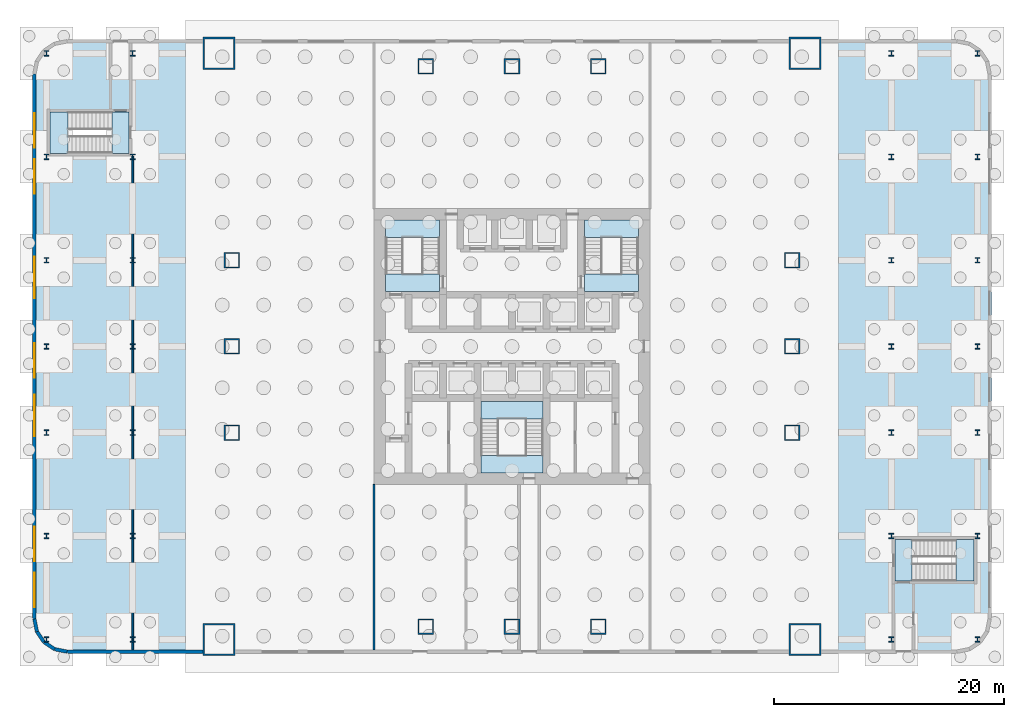
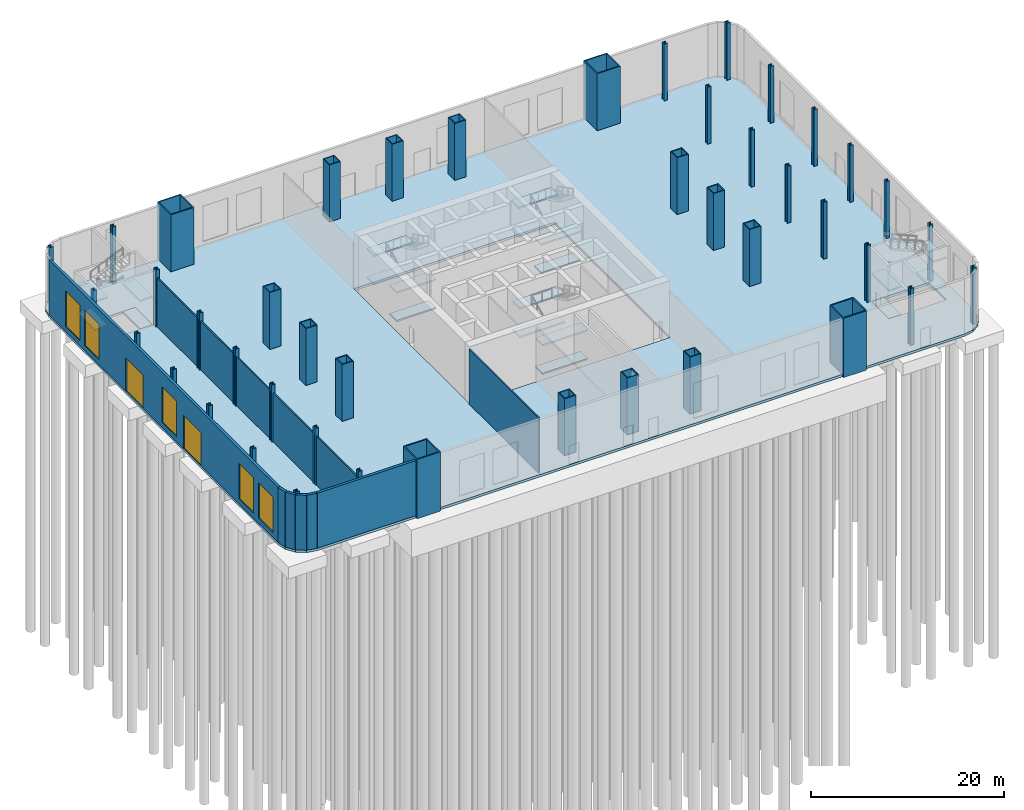
# One storey, part 3 of 10: 44 columns, 21 slabs, 8 walls, 5 windows, 2 doors, 7 openings, 5 elements without a shape of their own.
"""IFC4 building model written with IfcOpenShell, lengths in metres."""

from ifc_helpers import new_model, si_unit, direction, frame, frame_2d, origin, origin_2d, place, context, subcontext, project, spatial, polyline, rectangle, hollow_rectangle, i_section, outline, extrude, material, layer, layer_set, material_profile, profile_set, type_object, element, fill, aggregate, save


model = new_model("IFC4")

# Units and contexts
model_context = context("Model", 3, precision=1e-05, world=origin(), true_north=direction((0.0, 1.0)))
body_context = subcontext(model_context, "Body", "Model", "MODEL_VIEW")
ifc_project = project(units=[si_unit("LENGTHUNIT", "METRE"), si_unit("AREAUNIT", "SQUARE_METRE"), si_unit("VOLUMEUNIT", "CUBIC_METRE"), si_unit("PLANEANGLEUNIT", "RADIAN"), si_unit("MASSUNIT", "GRAM", prefix="KILO")], contexts=[model_context])

# Site, building, storey
site_placement = place(None, origin())
site = spatial("IfcSite", under=ifc_project, at=site_placement, CompositionType="ELEMENT")
building_placement = place(site_placement, origin())
building = spatial("IfcBuilding", under=site, at=building_placement, Name="Tarangal Relay Tower", CompositionType="ELEMENT")
storey_placement = place(building_placement, origin())
storey = spatial("IfcBuildingStorey", under=building, at=storey_placement, Name="L00", CompositionType="ELEMENT", Elevation=0.0)

# Columns
ifc_material_1 = material(Name="Steel ASTM A572 Grade 42", Category="steel")
ifc_material_profile_1 = material_profile(ifc_material_1, hollow_rectangle(XDim=2.800048828125, YDim=2.800048828125, WallThickness=0.139892578125, at=origin_2d()), Name="BOX2800X2800X140")
ifc_profile_set_1 = profile_set([ifc_material_profile_1], Name="Steel ASTM A572 Grade 42")
column_type_1 = type_object("IfcColumnType", Name="Mega column BOX2800X2800X140", PredefinedType="COLUMN", material=ifc_profile_set_1)
for number, where, z_axis, x_axis, name in (
    (1, (25.5, 25.5, -0.300048828125), (0.0, 0.0, 1.0), (1.0, 0.0, 0.0), "Mega column MC1 NE L00"),
    (2, (25.5, -25.5, -0.300048828125), (0.0, 0.0, 1.0), (1.0, 0.0, 0.0), "Mega column MC1 SE L00"),
    (3, (-25.5, -25.5, -0.300048828125), (0.0, 0.0, 1.0), (1.0, 0.0, 0.0), "Mega column MC1 SW L00"),
    (4, (-25.5, 25.5, -0.300048828125), (0.0, 0.0, 1.0), (1.0, 0.0, 0.0), "Mega column MC1 NW L00"),
):
    element("IfcColumn", number, at=place(storey_placement, frame(where, z_axis=z_axis, x_axis=x_axis)), inside=storey, type_object=column_type_1, Name=name, PredefinedType="COLUMN", context=body_context, shape_type="SweptSolid", body=[
        extrude(hollow_rectangle(XDim=2.800048828125, YDim=2.800048828125, WallThickness=0.139892578125, at=origin_2d()), origin(), (0.0, 0.0, 1.0), 7.5),
    ])
ifc_material_2 = material(Name="Steel ASTM A572 Grade 50", Category="steel")
ifc_material_profile_2 = material_profile(ifc_material_2, hollow_rectangle(XDim=1.35009765625, YDim=1.35009765625, WallThickness=0.10009765625, at=origin_2d()), Name="BOX1350X1350X100")
ifc_profile_set_2 = profile_set([ifc_material_profile_2], Name="Steel ASTM A572 Grade 50")
column_type_2 = type_object("IfcColumnType", Name="Perimeter column BOX1350X1350X100", PredefinedType="COLUMN", material=ifc_profile_set_2)
for number, where, z_axis, x_axis, name in (
    (5, (-7.5, 24.364990234375, -0.300048828125), (0.0, 0.0, 1.0), (1.0, 0.0, 0.0), "Perimeter column PC1 N L00"),
    (6, (0.0, 24.364990234375, -0.300048828125), (0.0, 0.0, 1.0), (1.0, 0.0, 0.0), "Perimeter column PC1 N L00"),
    (7, (7.5, 24.364990234375, -0.300048828125), (0.0, 0.0, 1.0), (1.0, 0.0, 0.0), "Perimeter column PC1 N L00"),
    (8, (24.364990234375, 7.5, -0.300048828125), (0.0, 0.0, 1.0), (1.0, 0.0, 0.0), "Perimeter column PC1 E L00"),
    (9, (24.364990234375, 0.0, -0.300048828125), (0.0, 0.0, 1.0), (1.0, 0.0, 0.0), "Perimeter column PC1 E L00"),
    (10, (24.364990234375, -7.5, -0.300048828125), (0.0, 0.0, 1.0), (1.0, 0.0, 0.0), "Perimeter column PC1 E L00"),
    (11, (7.5, -24.364990234375, -0.300048828125), (0.0, 0.0, 1.0), (1.0, 0.0, 0.0), "Perimeter column PC1 S L00"),
    (12, (0.0, -24.364990234375, -0.300048828125), (0.0, 0.0, 1.0), (1.0, 0.0, 0.0), "Perimeter column PC1 S L00"),
    (13, (-7.5, -24.364990234375, -0.300048828125), (0.0, 0.0, 1.0), (1.0, 0.0, 0.0), "Perimeter column PC1 S L00"),
    (14, (-24.364990234375, -7.5, -0.300048828125), (0.0, 0.0, 1.0), (1.0, 0.0, 0.0), "Perimeter column PC1 W L00"),
    (15, (-24.364990234375, 0.0, -0.300048828125), (0.0, 0.0, 1.0), (1.0, 0.0, 0.0), "Perimeter column PC1 W L00"),
    (16, (-24.364990234375, 7.5, -0.300048828125), (0.0, 0.0, 1.0), (1.0, 0.0, 0.0), "Perimeter column PC1 W L00"),
):
    element("IfcColumn", number, at=place(storey_placement, frame(where, z_axis=z_axis, x_axis=x_axis)), inside=storey, type_object=column_type_2, Name=name, PredefinedType="COLUMN", context=body_context, shape_type="SweptSolid", body=[
        extrude(hollow_rectangle(XDim=1.35009765625, YDim=1.35009765625, WallThickness=0.10009765625, at=origin_2d()), origin(), (0.0, 0.0, 1.0), 7.5),
    ])
ifc_material_3 = material(Name="Steel ASTM A992", Category="steel")
ifc_material_profile_3 = material_profile(ifc_material_3, i_section(OverallWidth=0.42431640625, OverallDepth=0.47509765625, WebThickness=0.0478515625, FlangeThickness=0.0771484375, at=origin_2d()), Name="W14X426")
ifc_profile_set_3 = profile_set([ifc_material_profile_3], Name="Steel ASTM A992")
column_type_3 = type_object("IfcColumnType", Name="Podium column W14X426", PredefinedType="COLUMN", material=ifc_profile_set_3)
for number, where, z_axis, x_axis, name in (
    (17, (-33.0, -25.5, -0.300048828125), (0.0, 0.0, 1.0), (1.0, 0.0, 0.0), "Podium column PW1 L00"),
    (18, (-33.0, -16.5, -0.300048828125), (0.0, 0.0, 1.0), (1.0, 0.0, 0.0), "Podium column PW1 L00"),
    (19, (-33.0, -7.5, -0.300048828125), (0.0, 0.0, 1.0), (1.0, 0.0, 0.0), "Podium column PW1 L00"),
    (20, (-33.0, 0.0, -0.300048828125), (0.0, 0.0, 1.0), (1.0, 0.0, 0.0), "Podium column PW1 L00"),
    (21, (-33.0, 7.5, -0.300048828125), (0.0, 0.0, 1.0), (1.0, 0.0, 0.0), "Podium column PW1 L00"),
    (22, (-33.0, 16.5, -0.300048828125), (0.0, 0.0, 1.0), (1.0, 0.0, 0.0), "Podium column PW1 L00"),
    (23, (-33.0, 25.5, -0.300048828125), (0.0, 0.0, 1.0), (1.0, 0.0, 0.0), "Podium column PW1 L00"),
    (24, (-40.5, -25.5, -0.300048828125), (0.0, 0.0, 1.0), (1.0, 0.0, 0.0), "Podium column PW1 L00"),
    (25, (-40.5, -16.5, -0.300048828125), (0.0, 0.0, 1.0), (1.0, 0.0, 0.0), "Podium column PW1 L00"),
    (26, (-40.5, -7.5, -0.300048828125), (0.0, 0.0, 1.0), (1.0, 0.0, 0.0), "Podium column PW1 L00"),
    (27, (-40.5, 0.0, -0.300048828125), (0.0, 0.0, 1.0), (1.0, 0.0, 0.0), "Podium column PW1 L00"),
    (28, (-40.5, 7.5, -0.300048828125), (0.0, 0.0, 1.0), (1.0, 0.0, 0.0), "Podium column PW1 L00"),
    (29, (-40.5, 16.5, -0.300048828125), (0.0, 0.0, 1.0), (1.0, 0.0, 0.0), "Podium column PW1 L00"),
    (30, (-40.5, 25.5, -0.300048828125), (0.0, 0.0, 1.0), (1.0, 0.0, 0.0), "Podium column PW1 L00"),
    (31, (33.0, -25.5, -0.300048828125), (0.0, 0.0, 1.0), (1.0, 0.0, 0.0), "Podium column PW1 L00"),
    (32, (33.0, -16.5, -0.300048828125), (0.0, 0.0, 1.0), (1.0, 0.0, 0.0), "Podium column PW1 L00"),
    (33, (33.0, -7.5, -0.300048828125), (0.0, 0.0, 1.0), (1.0, 0.0, 0.0), "Podium column PW1 L00"),
    (34, (33.0, 0.0, -0.300048828125), (0.0, 0.0, 1.0), (1.0, 0.0, 0.0), "Podium column PW1 L00"),
    (35, (33.0, 7.5, -0.300048828125), (0.0, 0.0, 1.0), (1.0, 0.0, 0.0), "Podium column PW1 L00"),
    (36, (33.0, 16.5, -0.300048828125), (0.0, 0.0, 1.0), (1.0, 0.0, 0.0), "Podium column PW1 L00"),
    (37, (33.0, 25.5, -0.300048828125), (0.0, 0.0, 1.0), (1.0, 0.0, 0.0), "Podium column PW1 L00"),
    (38, (40.5, -25.5, -0.300048828125), (0.0, 0.0, 1.0), (1.0, 0.0, 0.0), "Podium column PW1 L00"),
    (39, (40.5, -16.5, -0.300048828125), (0.0, 0.0, 1.0), (1.0, 0.0, 0.0), "Podium column PW1 L00"),
    (40, (40.5, -7.5, -0.300048828125), (0.0, 0.0, 1.0), (1.0, 0.0, 0.0), "Podium column PW1 L00"),
    (41, (40.5, 0.0, -0.300048828125), (0.0, 0.0, 1.0), (1.0, 0.0, 0.0), "Podium column PW1 L00"),
    (42, (40.5, 7.5, -0.300048828125), (0.0, 0.0, 1.0), (1.0, 0.0, 0.0), "Podium column PW1 L00"),
    (43, (40.5, 16.5, -0.300048828125), (0.0, 0.0, 1.0), (1.0, 0.0, 0.0), "Podium column PW1 L00"),
    (44, (40.5, 25.5, -0.300048828125), (0.0, 0.0, 1.0), (1.0, 0.0, 0.0), "Podium column PW1 L00"),
):
    element("IfcColumn", number, at=place(storey_placement, frame(where, z_axis=z_axis, x_axis=x_axis)), inside=storey, type_object=column_type_3, Name=name, PredefinedType="COLUMN", context=body_context, shape_type="SweptSolid", body=[
        extrude(i_section(OverallWidth=0.42431640625, OverallDepth=0.47509765625, WebThickness=0.0478515625, FlangeThickness=0.0771484375, at=origin_2d()), origin(), (0.0, 0.0, 1.0), 7.5),
    ])

# Slab
ifc_material_4 = material(Name="Concrete fc' 35 MPa", Category="concrete")
ifc_layer_1 = layer(ifc_material_4, 0.300048828125)
ifc_layer_set_1 = layer_set([ifc_layer_1], Name="Ground slab 300")
slab_type_1 = type_object("IfcSlabType", Name="Ground slab 300", PredefinedType="BASESLAB", material=ifc_layer_set_1)
slab_1_placement = place(storey_placement, frame((0.0, 0.0, -0.300048828125)))
element("IfcSlab", 45, at=slab_1_placement, inside=storey, type_object=slab_type_1, Name="Ground slab GS1", PredefinedType="BASESLAB", context=body_context, shape_type="SweptSolid", body=[
    extrude(outline(polyline([(41.699951171875, 23.699951171875), (41.4716796875, 24.84814453125), (40.8212890625, 25.8212890625), (39.84814453125, 26.4716796875), (38.699951171875, 26.699951171875), (-38.699951171875, 26.699951171875), (-39.84814453125, 26.4716796875), (-40.8212890625, 25.8212890625), (-41.4716796875, 24.84814453125), (-41.699951171875, 23.699951171875), (-41.699951171875, -23.699951171875), (-41.4716796875, -24.84814453125), (-40.8212890625, -25.8212890625), (-39.84814453125, -26.4716796875), (-38.699951171875, -26.699951171875), (38.699951171875, -26.699951171875), (39.84814453125, -26.4716796875), (40.8212890625, -25.8212890625), (41.4716796875, -24.84814453125), (41.699951171875, -23.699951171875), (41.699951171875, 23.699951171875)]), holes=[polyline([(-12.0, -12.0), (12.0, -12.0), (12.0, 12.0), (-12.0, 12.0), (-12.0, -12.0)]), polyline([(-40.199951171875, 16.800048828125), (-33.300048828125, 16.800048828125), (-33.300048828125, 20.39990234375), (-40.199951171875, 20.39990234375), (-40.199951171875, 16.800048828125)]), polyline([(33.300048828125, -20.39990234375), (40.199951171875, -20.39990234375), (40.199951171875, -16.800048828125), (33.300048828125, -16.800048828125), (33.300048828125, -20.39990234375)])]), origin(), (0.0, 0.0, 1.0), 0.300048828125),
])

# Stair, slabs
ifc_material_5 = material(Name="Steel ASTM A992 stair flight", Category="steel")
stair_type_1 = type_object("IfcStairType", Name="Core stair 1500", PredefinedType="HALF_TURN_STAIR", material=ifc_material_5)
stair_1_placement = place(storey_placement, origin())
stair_1 = element("IfcStair", 46, at=stair_1_placement, inside=storey, type_object=stair_type_1, Name="Stair ST-A L00", PredefinedType="HALF_TURN_STAIR")
ifc_layer_2 = layer(ifc_material_4, 0.199951171875)
ifc_layer_set_2 = layer_set([ifc_layer_2], Name="Stair landing 200")
slab_type_2 = type_object("IfcSlabType", Name="Stair landing 200", PredefinedType="LANDING", material=ifc_layer_set_2)
slab_2_placement = place(storey_placement, frame((0.0, 0.0, -0.199951171875)))
slab_2 = element("IfcSlab", 47, at=slab_2_placement, type_object=slab_type_2, Name="ST-A landing 1", PredefinedType="LANDING", context=body_context, shape_type="SweptSolid", body=[
    extrude(outline(polyline([(-11.0, 4.800048828125), (-6.300048828125, 4.800048828125), (-6.300048828125, 6.300048828125), (-11.0, 6.300048828125), (-11.0, 4.800048828125)])), origin(), (0.0, 0.0, 1.0), 0.199951171875),
])
slab_3_placement = place(storey_placement, frame((0.0, 0.0, 1.60009765625)))
slab_3 = element("IfcSlab", 48, at=slab_3_placement, type_object=slab_type_2, Name="ST-A landing 2", PredefinedType="LANDING", context=body_context, shape_type="SweptSolid", body=[
    extrude(outline(polyline([(-11.0, 9.5), (-6.300048828125, 9.5), (-6.300048828125, 11.0), (-11.0, 11.0), (-11.0, 9.5)])), origin(), (0.0, 0.0, 1.0), 0.199951171875),
])
slab_4_placement = place(storey_placement, frame((0.0, 0.0, 3.39990234375)))
slab_4 = element("IfcSlab", 49, at=slab_4_placement, type_object=slab_type_2, Name="ST-A landing 3", PredefinedType="LANDING", context=body_context, shape_type="SweptSolid", body=[
    extrude(outline(polyline([(-11.0, 4.800048828125), (-6.300048828125, 4.800048828125), (-6.300048828125, 6.300048828125), (-11.0, 6.300048828125), (-11.0, 4.800048828125)])), origin(), (0.0, 0.0, 1.0), 0.2001953125),
])
slab_5_placement = place(storey_placement, frame((0.0, 0.0, 5.199951171875)))
slab_5 = element("IfcSlab", 50, at=slab_5_placement, type_object=slab_type_2, Name="ST-A landing 4", PredefinedType="LANDING", context=body_context, shape_type="SweptSolid", body=[
    extrude(outline(polyline([(-11.0, 9.5), (-6.300048828125, 9.5), (-6.300048828125, 11.0), (-11.0, 11.0), (-11.0, 9.5)])), origin(), (0.0, 0.0, 1.0), 0.199951171875),
])
aggregate(stair_1, [slab_2, slab_3, slab_4, slab_5])

stair_2_placement = place(storey_placement, origin())
stair_2 = element("IfcStair", 51, at=stair_2_placement, inside=storey, type_object=stair_type_1, Name="Stair ST-B L00", PredefinedType="HALF_TURN_STAIR")
slab_6_placement = place(storey_placement, frame((0.0, 0.0, -0.199951171875)))
slab_6 = element("IfcSlab", 52, at=slab_6_placement, type_object=slab_type_2, Name="ST-B landing 1", PredefinedType="LANDING", context=body_context, shape_type="SweptSolid", body=[
    extrude(outline(polyline([(6.300048828125, 4.800048828125), (11.0, 4.800048828125), (11.0, 6.300048828125), (6.300048828125, 6.300048828125), (6.300048828125, 4.800048828125)])), origin(), (0.0, 0.0, 1.0), 0.199951171875),
])
slab_7_placement = place(storey_placement, frame((0.0, 0.0, 1.60009765625)))
slab_7 = element("IfcSlab", 53, at=slab_7_placement, type_object=slab_type_2, Name="ST-B landing 2", PredefinedType="LANDING", context=body_context, shape_type="SweptSolid", body=[
    extrude(outline(polyline([(6.300048828125, 9.5), (11.0, 9.5), (11.0, 11.0), (6.300048828125, 11.0), (6.300048828125, 9.5)])), origin(), (0.0, 0.0, 1.0), 0.199951171875),
])
slab_8_placement = place(storey_placement, frame((0.0, 0.0, 3.39990234375)))
slab_8 = element("IfcSlab", 54, at=slab_8_placement, type_object=slab_type_2, Name="ST-B landing 3", PredefinedType="LANDING", context=body_context, shape_type="SweptSolid", body=[
    extrude(outline(polyline([(6.300048828125, 4.800048828125), (11.0, 4.800048828125), (11.0, 6.300048828125), (6.300048828125, 6.300048828125), (6.300048828125, 4.800048828125)])), origin(), (0.0, 0.0, 1.0), 0.2001953125),
])
slab_9_placement = place(storey_placement, frame((0.0, 0.0, 5.199951171875)))
slab_9 = element("IfcSlab", 55, at=slab_9_placement, type_object=slab_type_2, Name="ST-B landing 4", PredefinedType="LANDING", context=body_context, shape_type="SweptSolid", body=[
    extrude(outline(polyline([(6.300048828125, 9.5), (11.0, 9.5), (11.0, 11.0), (6.300048828125, 11.0), (6.300048828125, 9.5)])), origin(), (0.0, 0.0, 1.0), 0.199951171875),
])
aggregate(stair_2, [slab_6, slab_7, slab_8, slab_9])

stair_3_placement = place(storey_placement, origin())
stair_3 = element("IfcStair", 56, at=stair_3_placement, inside=storey, type_object=stair_type_1, Name="Stair ST-C L00", PredefinedType="HALF_TURN_STAIR")
slab_10_placement = place(storey_placement, frame((0.0, 0.0, -0.199951171875)))
slab_10 = element("IfcSlab", 57, at=slab_10_placement, type_object=slab_type_2, Name="ST-C landing 1", PredefinedType="LANDING", context=body_context, shape_type="SweptSolid", body=[
    extrude(outline(polyline([(-2.699951171875, -11.0), (2.699951171875, -11.0), (2.699951171875, -9.5), (-2.699951171875, -9.5), (-2.699951171875, -11.0)])), origin(), (0.0, 0.0, 1.0), 0.199951171875),
])
slab_11_placement = place(storey_placement, frame((0.0, 0.0, 1.60009765625)))
slab_11 = element("IfcSlab", 58, at=slab_11_placement, type_object=slab_type_2, Name="ST-C landing 2", PredefinedType="LANDING", context=body_context, shape_type="SweptSolid", body=[
    extrude(outline(polyline([(-2.699951171875, -6.300048828125), (2.699951171875, -6.300048828125), (2.699951171875, -4.800048828125), (-2.699951171875, -4.800048828125), (-2.699951171875, -6.300048828125)])), origin(), (0.0, 0.0, 1.0), 0.199951171875),
])
slab_12_placement = place(storey_placement, frame((0.0, 0.0, 3.39990234375)))
slab_12 = element("IfcSlab", 59, at=slab_12_placement, type_object=slab_type_2, Name="ST-C landing 3", PredefinedType="LANDING", context=body_context, shape_type="SweptSolid", body=[
    extrude(outline(polyline([(-2.699951171875, -11.0), (2.699951171875, -11.0), (2.699951171875, -9.5), (-2.699951171875, -9.5), (-2.699951171875, -11.0)])), origin(), (0.0, 0.0, 1.0), 0.2001953125),
])
slab_13_placement = place(storey_placement, frame((0.0, 0.0, 5.199951171875)))
slab_13 = element("IfcSlab", 60, at=slab_13_placement, type_object=slab_type_2, Name="ST-C landing 4", PredefinedType="LANDING", context=body_context, shape_type="SweptSolid", body=[
    extrude(outline(polyline([(-2.699951171875, -6.300048828125), (2.699951171875, -6.300048828125), (2.699951171875, -4.800048828125), (-2.699951171875, -4.800048828125), (-2.699951171875, -6.300048828125)])), origin(), (0.0, 0.0, 1.0), 0.199951171875),
])
aggregate(stair_3, [slab_10, slab_11, slab_12, slab_13])

stair_type_2 = type_object("IfcStairType", Name="Podium stair 1500", PredefinedType="HALF_TURN_STAIR", material=ifc_material_5)
stair_4_placement = place(storey_placement, origin())
stair_4 = element("IfcStair", 61, at=stair_4_placement, inside=storey, type_object=stair_type_2, Name="Stair ST-D L00", PredefinedType="HALF_TURN_STAIR")
slab_14_placement = place(storey_placement, frame((0.0, 0.0, -0.199951171875)))
slab_14 = element("IfcSlab", 62, at=slab_14_placement, type_object=slab_type_2, Name="ST-D landing 1", PredefinedType="LANDING", context=body_context, shape_type="SweptSolid", body=[
    extrude(outline(polyline([(-33.300048828125, 16.800048828125), (-33.300048828125, 20.39990234375), (-34.800048828125, 20.39990234375), (-34.800048828125, 16.800048828125), (-33.300048828125, 16.800048828125)])), origin(), (0.0, 0.0, 1.0), 0.199951171875),
])
slab_15_placement = place(storey_placement, frame((0.0, 0.0, 1.60009765625)))
slab_15 = element("IfcSlab", 63, at=slab_15_placement, type_object=slab_type_2, Name="ST-D landing 2", PredefinedType="LANDING", context=body_context, shape_type="SweptSolid", body=[
    extrude(outline(polyline([(-38.6279296875, 16.800048828125), (-38.6279296875, 20.39990234375), (-40.199951171875, 20.39990234375), (-40.199951171875, 16.800048828125), (-38.6279296875, 16.800048828125)])), origin(), (0.0, 0.0, 1.0), 0.199951171875),
])
slab_16_placement = place(storey_placement, frame((0.0, 0.0, 3.39990234375)))
slab_16 = element("IfcSlab", 64, at=slab_16_placement, type_object=slab_type_2, Name="ST-D landing 3", PredefinedType="LANDING", context=body_context, shape_type="SweptSolid", body=[
    extrude(outline(polyline([(-33.300048828125, 16.800048828125), (-33.300048828125, 20.39990234375), (-34.800048828125, 20.39990234375), (-34.800048828125, 16.800048828125), (-33.300048828125, 16.800048828125)])), origin(), (0.0, 0.0, 1.0), 0.2001953125),
])
slab_17_placement = place(storey_placement, frame((0.0, 0.0, 5.199951171875)))
slab_17 = element("IfcSlab", 65, at=slab_17_placement, type_object=slab_type_2, Name="ST-D landing 4", PredefinedType="LANDING", context=body_context, shape_type="SweptSolid", body=[
    extrude(outline(polyline([(-38.6279296875, 16.800048828125), (-38.6279296875, 20.39990234375), (-40.199951171875, 20.39990234375), (-40.199951171875, 16.800048828125), (-38.6279296875, 16.800048828125)])), origin(), (0.0, 0.0, 1.0), 0.199951171875),
])
aggregate(stair_4, [slab_14, slab_15, slab_16, slab_17])

stair_5_placement = place(storey_placement, origin())
stair_5 = element("IfcStair", 66, at=stair_5_placement, inside=storey, type_object=stair_type_2, Name="Stair ST-E L00", PredefinedType="HALF_TURN_STAIR")
slab_18_placement = place(storey_placement, frame((0.0, 0.0, -0.199951171875)))
slab_18 = element("IfcSlab", 67, at=slab_18_placement, type_object=slab_type_2, Name="ST-E landing 1", PredefinedType="LANDING", context=body_context, shape_type="SweptSolid", body=[
    extrude(outline(polyline([(34.800048828125, -20.39990234375), (34.800048828125, -16.800048828125), (33.300048828125, -16.800048828125), (33.300048828125, -20.39990234375), (34.800048828125, -20.39990234375)])), origin(), (0.0, 0.0, 1.0), 0.199951171875),
])
slab_19_placement = place(storey_placement, frame((0.0, 0.0, 1.60009765625)))
slab_19 = element("IfcSlab", 68, at=slab_19_placement, type_object=slab_type_2, Name="ST-E landing 2", PredefinedType="LANDING", context=body_context, shape_type="SweptSolid", body=[
    extrude(outline(polyline([(40.199951171875, -20.39990234375), (40.199951171875, -16.800048828125), (38.6279296875, -16.800048828125), (38.6279296875, -20.39990234375), (40.199951171875, -20.39990234375)])), origin(), (0.0, 0.0, 1.0), 0.199951171875),
])
slab_20_placement = place(storey_placement, frame((0.0, 0.0, 3.39990234375)))
slab_20 = element("IfcSlab", 69, at=slab_20_placement, type_object=slab_type_2, Name="ST-E landing 3", PredefinedType="LANDING", context=body_context, shape_type="SweptSolid", body=[
    extrude(outline(polyline([(34.800048828125, -20.39990234375), (34.800048828125, -16.800048828125), (33.300048828125, -16.800048828125), (33.300048828125, -20.39990234375), (34.800048828125, -20.39990234375)])), origin(), (0.0, 0.0, 1.0), 0.2001953125),
])
slab_21_placement = place(storey_placement, frame((0.0, 0.0, 5.199951171875)))
slab_21 = element("IfcSlab", 70, at=slab_21_placement, type_object=slab_type_2, Name="ST-E landing 4", PredefinedType="LANDING", context=body_context, shape_type="SweptSolid", body=[
    extrude(outline(polyline([(40.199951171875, -20.39990234375), (40.199951171875, -16.800048828125), (38.6279296875, -16.800048828125), (38.6279296875, -20.39990234375), (40.199951171875, -20.39990234375)])), origin(), (0.0, 0.0, 1.0), 0.199951171875),
])
aggregate(stair_5, [slab_18, slab_19, slab_20, slab_21])

# Walls
ifc_material_6 = material(Name="Gypsum board on steel studs", Category="steel")
ifc_layer_3 = layer(ifc_material_6, 0.14990234375)
ifc_layer_set_3 = layer_set([ifc_layer_3], Name="Partition 150")
wall_type_1 = type_object("IfcWallType", Name="Partition 150", PredefinedType="PARTITIONING", material=ifc_layer_set_3)
wall_1_placement = place(storey_placement, frame((-12.0, -12.0, 0.0), z_axis=(0.0, 0.0, 1.0), x_axis=(0.0, -1.0, 0.0)))
element("IfcWall", 71, at=wall_1_placement, inside=storey, type_object=wall_type_1, Name="Partition PT1 L00", PredefinedType="PARTITIONING", context=body_context, shape_type="SweptSolid", body=[
    extrude(rectangle(XDim=14.39990234375, YDim=0.14990234375, at=frame_2d((7.199951171875, 0.0))), origin(), (0.0, 0.0, 1.0), 6.949951171875),
])
wall_2_placement = place(storey_placement, frame((-33.0, -26.39990234375, 0.0), z_axis=(0.0, 0.0, 1.0), x_axis=(0.0, 1.0, 0.0)))
element("IfcWall", 72, at=wall_2_placement, inside=storey, type_object=wall_type_1, Name="Partition PT1 L00", PredefinedType="PARTITIONING", context=body_context, shape_type="SweptSolid", body=[
    extrude(rectangle(XDim=42.949951171875, YDim=0.14990234375, at=frame_2d((21.47509765625, 0.0))), origin(), (0.0, 0.0, 1.0), 6.1650390625),
])

# Wall, openings, doors, windows
ifc_material_7 = material(Name="Black granite clad concrete wall", Category="masonry")
ifc_layer_4 = layer(ifc_material_7, 0.300048828125)
ifc_layer_set_4 = layer_set([ifc_layer_4], Name="Podium wall 300")
wall_type_2 = type_object("IfcWallType", Name="Podium wall 300", PredefinedType="SOLIDWALL", material=ifc_layer_set_4)
wall_3_placement = place(storey_placement, frame((-41.550048828125, 23.699951171875, 0.0), z_axis=(0.0, 0.0, 1.0), x_axis=(0.0, -1.0, 0.0)))
wall_3 = element("IfcWall", 73, at=wall_3_placement, inside=storey, type_object=wall_type_2, Name="Podium wall Podium W facade L00", PredefinedType="SOLIDWALL", context=body_context, shape_type="SweptSolid", body=[
    extrude(rectangle(XDim=47.39990234375, YDim=0.300048828125, at=frame_2d((23.699951171875, 0.0))), origin(), (0.0, 0.0, 1.0), 6.949951171875),
])
opening_1_placement = place(wall_3_placement, frame((27.89990234375, 0.0, 0.0)))
opening_1 = element("IfcOpeningElement", 74, at=opening_1_placement, cuts=wall_3, Name="Opening GD1", PredefinedType="OPENING", context=body_context, shape_type="SweptSolid", body=[
    extrude(rectangle(XDim=3.60009765625, YDim=4.199951171875, at=frame_2d((1.800048828125, 2.10009765625))), frame((0.0, 0.159912109375, 0.0), z_axis=(0.0, -1.0, 0.0), x_axis=(1.0, 0.0, 0.0)), (0.0, 0.0, 1.0), 0.320068359375),
])
opening_2_placement = place(wall_3_placement, frame((15.89990234375, 0.0, 0.0)))
opening_2 = element("IfcOpeningElement", 75, at=opening_2_placement, cuts=wall_3, Name="Opening GD1", PredefinedType="OPENING", context=body_context, shape_type="SweptSolid", body=[
    extrude(rectangle(XDim=3.60009765625, YDim=4.199951171875, at=frame_2d((1.800048828125, 2.10009765625))), frame((0.0, 0.159912109375, 0.0), z_axis=(0.0, -1.0, 0.0), x_axis=(1.0, 0.0, 0.0)), (0.0, 0.0, 1.0), 0.320068359375),
])
opening_3_placement = place(wall_3_placement, frame((43.39990234375, 0.0, 0.60009765625)))
opening_3 = element("IfcOpeningElement", 76, at=opening_3_placement, cuts=wall_3, Name="Opening WN3", PredefinedType="OPENING", context=body_context, shape_type="SweptSolid", body=[
    extrude(rectangle(XDim=3.0, YDim=4.5, at=frame_2d((1.5, 2.25))), frame((0.0, 0.159912109375, 0.0), z_axis=(0.0, -1.0, 0.0), x_axis=(1.0, 0.0, 0.0)), (0.0, 0.0, 1.0), 0.320068359375),
])
opening_4_placement = place(wall_3_placement, frame((39.39990234375, 0.0, 0.60009765625)))
opening_4 = element("IfcOpeningElement", 77, at=opening_4_placement, cuts=wall_3, Name="Opening WN3", PredefinedType="OPENING", context=body_context, shape_type="SweptSolid", body=[
    extrude(rectangle(XDim=3.0, YDim=4.5, at=frame_2d((1.5, 2.25))), frame((0.0, 0.159912109375, 0.0), z_axis=(0.0, -1.0, 0.0), x_axis=(1.0, 0.0, 0.0)), (0.0, 0.0, 1.0), 0.320068359375),
])
opening_5_placement = place(wall_3_placement, frame((23.39990234375, 0.0, 0.60009765625)))
opening_5 = element("IfcOpeningElement", 78, at=opening_5_placement, cuts=wall_3, Name="Opening WN3", PredefinedType="OPENING", context=body_context, shape_type="SweptSolid", body=[
    extrude(rectangle(XDim=3.0, YDim=4.5, at=frame_2d((1.5, 2.25))), frame((0.0, 0.159912109375, 0.0), z_axis=(0.0, -1.0, 0.0), x_axis=(1.0, 0.0, 0.0)), (0.0, 0.0, 1.0), 0.320068359375),
])
opening_6_placement = place(wall_3_placement, frame((7.39990234375, 0.0, 0.60009765625)))
opening_6 = element("IfcOpeningElement", 79, at=opening_6_placement, cuts=wall_3, Name="Opening WN3", PredefinedType="OPENING", context=body_context, shape_type="SweptSolid", body=[
    extrude(rectangle(XDim=3.0, YDim=4.5, at=frame_2d((1.5, 2.25))), frame((0.0, 0.159912109375, 0.0), z_axis=(0.0, -1.0, 0.0), x_axis=(1.0, 0.0, 0.0)), (0.0, 0.0, 1.0), 0.320068359375),
])
opening_7_placement = place(wall_3_placement, frame((3.39990234375, 0.0, 0.60009765625)))
opening_7 = element("IfcOpeningElement", 80, at=opening_7_placement, cuts=wall_3, Name="Opening WN3", PredefinedType="OPENING", context=body_context, shape_type="SweptSolid", body=[
    extrude(rectangle(XDim=3.0, YDim=4.5, at=frame_2d((1.5, 2.25))), frame((0.0, 0.159912109375, 0.0), z_axis=(0.0, -1.0, 0.0), x_axis=(1.0, 0.0, 0.0)), (0.0, 0.0, 1.0), 0.320068359375),
])
ifc_material_8 = material(Name="Steel roller shutter", Category="steel")
door_type = type_object("IfcDoorType", Name="Loading door 3600 x 4200", OperationType="ROLLINGUP", PredefinedType="DOOR", material=ifc_material_8)
door_1_placement = place(opening_1_placement, origin())
door_1 = element("IfcDoor", 81, at=door_1_placement, inside=storey, type_object=door_type, Name="Loading door GD1 podium W face", OperationType="ROLLINGUP", OverallHeight=4.199951171875, OverallWidth=3.60009765625, PredefinedType="DOOR", context=body_context, shape_type="SweptSolid", body=[
    extrude(rectangle(XDim=3.60009765625, YDim=4.199951171875, at=frame_2d((1.800048828125, 2.10009765625))), frame((0.0, 0.02490234375, 0.0), z_axis=(0.0, -1.0, 0.0), x_axis=(1.0, 0.0, 0.0)), (0.0, 0.0, 1.0), 0.050048828125),
])
fill(opening_1, door_1)
door_2_placement = place(opening_2_placement, origin())
door_2 = element("IfcDoor", 82, at=door_2_placement, inside=storey, type_object=door_type, Name="Loading door GD1 podium W face", OperationType="ROLLINGUP", OverallHeight=4.199951171875, OverallWidth=3.60009765625, PredefinedType="DOOR", context=body_context, shape_type="SweptSolid", body=[
    extrude(rectangle(XDim=3.60009765625, YDim=4.199951171875, at=frame_2d((1.800048828125, 2.10009765625))), frame((0.0, 0.02490234375, 0.0), z_axis=(0.0, -1.0, 0.0), x_axis=(1.0, 0.0, 0.0)), (0.0, 0.0, 1.0), 0.050048828125),
])
fill(opening_2, door_2)
ifc_material_9 = material(Name="Dark tinted double glazing in black aluminium frame", Category="aluminium")
window_type = type_object("IfcWindowType", Name="Shopfront window 3000 x 4500", PartitioningType="SINGLE_PANEL", PredefinedType="WINDOW", material=ifc_material_9)
window_1_placement = place(opening_3_placement, origin())
window_1 = element("IfcWindow", 83, at=window_1_placement, inside=storey, type_object=window_type, Name="Shopfront window WN3 Podium W facade L00", OverallHeight=4.5, OverallWidth=3.0, PartitioningType="SINGLE_PANEL", PredefinedType="WINDOW", context=body_context, shape_type="SweptSolid", body=[
    extrude(rectangle(XDim=3.0, YDim=4.5, at=frame_2d((1.5, 2.25))), frame((0.0, 0.030029296875, 0.0), z_axis=(0.0, -1.0, 0.0), x_axis=(1.0, 0.0, 0.0)), (0.0, 0.0, 1.0), 0.06005859375),
])
fill(opening_3, window_1)
window_2_placement = place(opening_4_placement, origin())
window_2 = element("IfcWindow", 84, at=window_2_placement, inside=storey, type_object=window_type, Name="Shopfront window WN3 Podium W facade L00", OverallHeight=4.5, OverallWidth=3.0, PartitioningType="SINGLE_PANEL", PredefinedType="WINDOW", context=body_context, shape_type="SweptSolid", body=[
    extrude(rectangle(XDim=3.0, YDim=4.5, at=frame_2d((1.5, 2.25))), frame((0.0, 0.030029296875, 0.0), z_axis=(0.0, -1.0, 0.0), x_axis=(1.0, 0.0, 0.0)), (0.0, 0.0, 1.0), 0.06005859375),
])
fill(opening_4, window_2)
window_3_placement = place(opening_5_placement, origin())
window_3 = element("IfcWindow", 85, at=window_3_placement, inside=storey, type_object=window_type, Name="Shopfront window WN3 Podium W facade L00", OverallHeight=4.5, OverallWidth=3.0, PartitioningType="SINGLE_PANEL", PredefinedType="WINDOW", context=body_context, shape_type="SweptSolid", body=[
    extrude(rectangle(XDim=3.0, YDim=4.5, at=frame_2d((1.5, 2.25))), frame((0.0, 0.030029296875, 0.0), z_axis=(0.0, -1.0, 0.0), x_axis=(1.0, 0.0, 0.0)), (0.0, 0.0, 1.0), 0.06005859375),
])
fill(opening_5, window_3)
window_4_placement = place(opening_6_placement, origin())
window_4 = element("IfcWindow", 86, at=window_4_placement, inside=storey, type_object=window_type, Name="Shopfront window WN3 Podium W facade L00", OverallHeight=4.5, OverallWidth=3.0, PartitioningType="SINGLE_PANEL", PredefinedType="WINDOW", context=body_context, shape_type="SweptSolid", body=[
    extrude(rectangle(XDim=3.0, YDim=4.5, at=frame_2d((1.5, 2.25))), frame((0.0, 0.030029296875, 0.0), z_axis=(0.0, -1.0, 0.0), x_axis=(1.0, 0.0, 0.0)), (0.0, 0.0, 1.0), 0.06005859375),
])
fill(opening_6, window_4)
window_5_placement = place(opening_7_placement, origin())
window_5 = element("IfcWindow", 87, at=window_5_placement, inside=storey, type_object=window_type, Name="Shopfront window WN3 Podium W facade L00", OverallHeight=4.5, OverallWidth=3.0, PartitioningType="SINGLE_PANEL", PredefinedType="WINDOW", context=body_context, shape_type="SweptSolid", body=[
    extrude(rectangle(XDim=3.0, YDim=4.5, at=frame_2d((1.5, 2.25))), frame((0.0, 0.030029296875, 0.0), z_axis=(0.0, -1.0, 0.0), x_axis=(1.0, 0.0, 0.0)), (0.0, 0.0, 1.0), 0.06005859375),
])
fill(opening_7, window_5)

# Walls
for number, where, z_axis, x_axis, name in (
    (88, (-41.550048828125, -23.699951171875, 0.0), (0.0, 0.0, 1.0), (0.195187147506, -0.980766015647, 0.0), "Podium corner wall L00"),
    (89, (-41.3330078125, -24.79052734375, 0.0), (0.0, 0.0, 1.0), (0.555409243355, -0.831577159616, 0.0), "Podium corner wall L00"),
    (90, (-40.71533203125, -25.71533203125, 0.0), (0.0, 0.0, 1.0), (0.831577159616, -0.555409243355, 0.0), "Podium corner wall L00"),
    (91, (-39.79052734375, -26.3330078125, 0.0), (0.0, 0.0, 1.0), (0.980766015647, -0.195187147506, 0.0), "Podium corner wall L00"),
):
    element("IfcWall", number, at=place(storey_placement, frame(where, z_axis=z_axis, x_axis=x_axis)), inside=storey, type_object=wall_type_2, Name=name, PredefinedType="SOLIDWALL", context=body_context, shape_type="SweptSolid", body=[
        extrude(rectangle(XDim=1.112060546875, YDim=0.300048828125, at=frame_2d((0.55615234375, 0.0))), origin(), (0.0, 0.0, 1.0), 6.949951171875),
    ])
wall_4_placement = place(storey_placement, frame((-38.699951171875, -26.550048828125, 0.0), z_axis=(0.0, 0.0, 1.0), x_axis=(1.0, 0.0, 0.0)))
element("IfcWall", 92, at=wall_4_placement, inside=storey, type_object=wall_type_2, Name="Podium wall Podium S facade L00", PredefinedType="SOLIDWALL", context=body_context, shape_type="SweptSolid", body=[
    extrude(rectangle(XDim=11.800048828125, YDim=0.300048828125, at=frame_2d((5.89990234375, 0.0))), origin(), (0.0, 0.0, 1.0), 6.949951171875),
])

save(model, "model.ifc")
